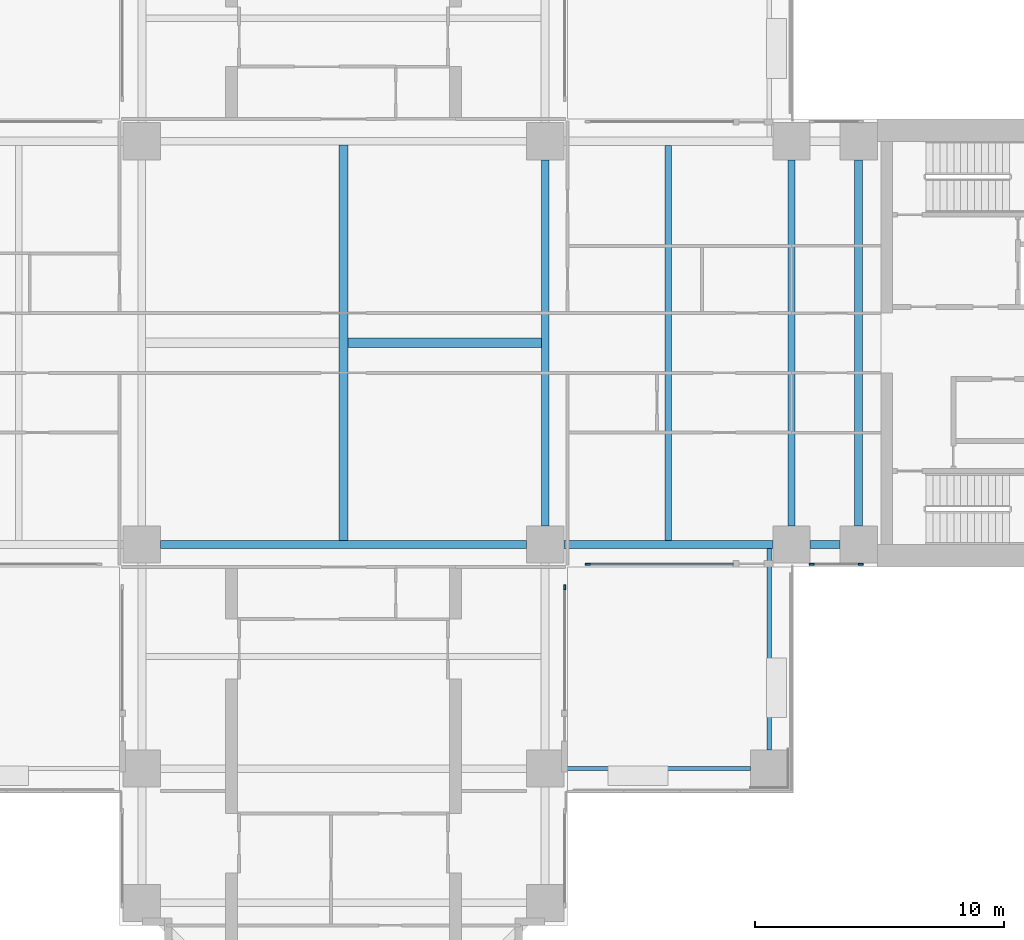
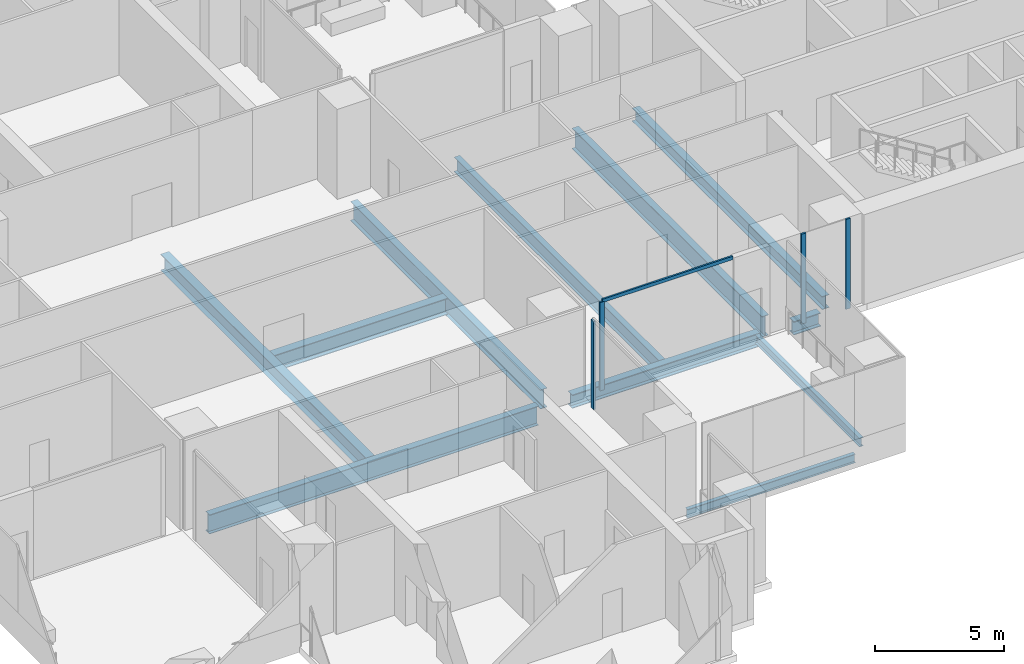
# One storey, part 3 of 15: 11 beams, 5 members, 3 elements without a shape of their own.
"""IFC4 building model written with IfcOpenShell, lengths in metres."""

from ifc_helpers import new_model, si_unit, direction, frame, origin, origin_2d, place, context, subcontext, project, spatial, rectangle, i_section, extrude, material, material_profile, profile_set, type_object, element, aggregate, save


model = new_model("IFC4")

# Units and contexts
model_context = context("Model", 3, precision=1e-05, world=origin(), true_north=direction((0.0, 1.0)))
body_context = subcontext(model_context, "Body", "Model", "MODEL_VIEW")
ifc_project = project(units=[si_unit("LENGTHUNIT", "METRE"), si_unit("AREAUNIT", "SQUARE_METRE"), si_unit("VOLUMEUNIT", "CUBIC_METRE"), si_unit("PLANEANGLEUNIT", "RADIAN"), si_unit("MASSUNIT", "GRAM", prefix="KILO")], contexts=[model_context])

# Site, building, storey
site_placement = place(None, origin())
site = spatial("IfcSite", under=ifc_project, at=site_placement, CompositionType="ELEMENT")
building_placement = place(site_placement, origin())
building = spatial("IfcBuilding", under=site, at=building_placement, Name="Perihelion Cross Residences", CompositionType="ELEMENT")
storey_placement = place(building_placement, frame((0.0, 0.0, 32.0)))
storey = spatial("IfcBuildingStorey", under=building, at=storey_placement, Name="L04", CompositionType="ELEMENT", Elevation=32.0)

# Curtain wall, member
ifc_material_1 = material(Name="Bronze anodised aluminium, tinted glazing", Category="aluminium")
curtain_wall_type = type_object("IfcCurtainWallType", Name="CW2", PredefinedType="NOTDEFINED", material=ifc_material_1)
curtain_wall_1_placement = place(storey_placement, origin())
curtain_wall_1 = element("IfcCurtainWall", 1, at=curtain_wall_1_placement, inside=storey, type_object=curtain_wall_type, Name="Curtain wall CW2 L04 south side east bay 2", PredefinedType="NOTDEFINED")
ifc_material_2 = material(Name="Bronze anodised aluminium", Category="aluminium")
ifc_material_profile_1 = material_profile(ifc_material_2, rectangle(XDim=0.080078125, YDim=0.199951171875, at=origin_2d()), Name="CW2 mullion")
ifc_profile_set_1 = profile_set([ifc_material_profile_1], Name="Bronze anodised aluminium")
member_type_1 = type_object("IfcMemberType", Name="CW2 mullion", PredefinedType="MULLION", material=ifc_profile_set_1)
member_1_placement = place(storey_placement, frame((8.889892578125, -9.81005859375, 0.0), z_axis=(0.0, 0.0, 1.0), x_axis=(-1.0, 0.0, 0.0)))
member_1 = element("IfcMember", 2, at=member_1_placement, type_object=member_type_1, Name="CW2 mullion 2", PredefinedType="MULLION", context=body_context, shape_type="SweptSolid", body=[
    extrude(rectangle(XDim=0.080078125, YDim=0.199951171875, at=origin_2d()), origin(), (0.0, 0.0, 1.0), 4.169921875),
])
aggregate(curtain_wall_1, [member_1])

curtain_wall_2_placement = place(storey_placement, origin())
curtain_wall_2 = element("IfcCurtainWall", 3, at=curtain_wall_2_placement, inside=storey, type_object=curtain_wall_type, Name="Curtain wall CW2 L04 east side south bay 1", PredefinedType="NOTDEFINED")
member_2_placement = place(storey_placement, frame((9.81005859375, -8.889892578125, 0.0), z_axis=(0.0, 0.0, 1.0), x_axis=(0.0, 1.0, 0.0)))
member_2 = element("IfcMember", 4, at=member_2_placement, type_object=member_type_1, Name="CW2 mullion 1", PredefinedType="MULLION", context=body_context, shape_type="SweptSolid", body=[
    extrude(rectangle(XDim=0.080078125, YDim=0.199951171875, at=origin_2d()), origin(), (0.0, 0.0, 1.0), 4.169921875),
])

# Curtain wall, members
curtain_wall_3_placement = place(storey_placement, origin())
curtain_wall_3 = element("IfcCurtainWall", 5, at=curtain_wall_3_placement, inside=storey, type_object=curtain_wall_type, Name="Curtain wall CW2 L04 east side south bay 2", PredefinedType="NOTDEFINED")
member_3_placement = place(storey_placement, frame((18.81005859375, -8.889892578125, 0.0), z_axis=(0.0, 0.0, 1.0), x_axis=(0.0, 1.0, 0.0)))
member_3 = element("IfcMember", 6, at=member_3_placement, type_object=member_type_1, Name="CW2 mullion 1", PredefinedType="MULLION", context=body_context, shape_type="SweptSolid", body=[
    extrude(rectangle(XDim=0.080078125, YDim=0.199951171875, at=origin_2d()), origin(), (0.0, 0.0, 1.0), 4.25),
])
member_4_placement = place(storey_placement, frame((20.7900390625, -8.889892578125, 0.0), z_axis=(0.0, 0.0, 1.0), x_axis=(0.0, 1.0, 0.0)))
member_4 = element("IfcMember", 7, at=member_4_placement, type_object=member_type_1, Name="CW2 mullion 2", PredefinedType="MULLION", context=body_context, shape_type="SweptSolid", body=[
    extrude(rectangle(XDim=0.080078125, YDim=0.199951171875, at=origin_2d()), origin(), (0.0, 0.0, 1.0), 4.25),
])
aggregate(curtain_wall_3, [member_3, member_4])

# Member
ifc_material_3 = material(Name="Bronze anodised aluminium", Category="aluminium")
ifc_material_profile_2 = material_profile(ifc_material_3, rectangle(XDim=0.080078125, YDim=0.159912109375, at=origin_2d()), Name="CW2 transom")
ifc_profile_set_2 = profile_set([ifc_material_profile_2], Name="Bronze anodised aluminium")
member_type_2 = type_object("IfcMemberType", Name="CW2 transom", PredefinedType="USERDEFINED", material=ifc_profile_set_2)
member_5_placement = place(storey_placement, frame((9.81005859375, -8.889892578125, 4.2099609375), z_axis=(1.0, 0.0, 0.0), x_axis=(0.0, 1.0, 0.0)))
member_5 = element("IfcMember", 8, at=member_5_placement, type_object=member_type_2, Name="CW2 head transom", ObjectType="TRANSOM", PredefinedType="USERDEFINED", context=body_context, shape_type="SweptSolid", body=[
    extrude(rectangle(XDim=0.080078125, YDim=0.159912109375, at=origin_2d()), origin(), (0.0, 0.0, 1.0), 5.83984375),
])

aggregate(curtain_wall_2, [member_2, member_5])

# Beams
ifc_material_4 = material(Name="Steel S355", Category="steel")
ifc_material_profile_3 = material_profile(ifc_material_4, i_section(OverallWidth=0.177978515625, OverallDepth=0.406005859375, WebThickness=0.0078125, FlangeThickness=0.0126953125, at=origin_2d()), Name="W410x60")
ifc_profile_set_3 = profile_set([ifc_material_profile_3], Name="Steel S355")
beam_type_1 = type_object("IfcBeamType", Name="Core edge beam W410x60", PredefinedType="BEAM", material=ifc_profile_set_3)
beam_1_placement = place(storey_placement, frame((17.10009765625, -8.264892578125, -0.5029296875), z_axis=(0.0, -1.0, 0.0), x_axis=(1.0, 0.0, 0.0)))
element("IfcBeam", 9, at=beam_1_placement, inside=storey, type_object=beam_type_1, Name="Core edge beam TB2 L04 corner no. 5", PredefinedType="BEAM", context=body_context, shape_type="SweptSolid", body=[
    extrude(i_section(OverallWidth=0.177978515625, OverallDepth=0.406005859375, WebThickness=0.0078125, FlangeThickness=0.0126953125, at=origin_2d()), origin(), (0.0, 0.0, 1.0), 8.085205078125),
])
beam_2_placement = place(storey_placement, frame((8.85009765625, -17.10009765625, -0.5029296875), z_axis=(1.0, 0.0, 0.0), x_axis=(0.0, 1.0, 0.0)))
element("IfcBeam", 10, at=beam_2_placement, inside=storey, type_object=beam_type_1, Name="Core edge beam TB2 L04 corner no. 6", PredefinedType="BEAM", context=body_context, shape_type="SweptSolid", body=[
    extrude(i_section(OverallWidth=0.177978515625, OverallDepth=0.406005859375, WebThickness=0.0078125, FlangeThickness=0.0126953125, at=origin_2d()), origin(), (0.0, 0.0, 1.0), 7.5),
])
ifc_material_5 = material(Name="Steel S355", Category="steel")
ifc_material_profile_4 = material_profile(ifc_material_5, i_section(OverallWidth=0.324951171875, OverallDepth=0.616943359375, WebThickness=0.013916015625, FlangeThickness=0.021484375, at=origin_2d()), Name="W610x174")
ifc_profile_set_4 = profile_set([ifc_material_profile_4], Name="Steel S355")
beam_type_2 = type_object("IfcBeamType", Name="Core edge beam W610x174", PredefinedType="BEAM", material=ifc_profile_set_4)
beam_3_placement = place(storey_placement, frame((20.699951171875, -7.35009765625, -0.6083984375), z_axis=(0.0, 1.0, 0.0), x_axis=(-1.0, 0.0, 0.0)))
element("IfcBeam", 11, at=beam_3_placement, inside=storey, type_object=beam_type_2, Name="Core edge beam TB1 L04 no. 2", PredefinedType="BEAM", context=body_context, shape_type="SweptSolid", body=[
    extrude(i_section(OverallWidth=0.324951171875, OverallDepth=0.616943359375, WebThickness=0.013916015625, FlangeThickness=0.021484375, at=origin_2d()), origin(), (0.0, 0.0, 1.0), 14.7001953125),
])
ifc_material_6 = material(Name="Steel S355", Category="steel")
ifc_material_profile_5 = material_profile(ifc_material_6, i_section(OverallWidth=0.330078125, OverallDepth=0.635009765625, WebThickness=0.017822265625, FlangeThickness=0.031005859375, at=origin_2d()), Name="W610x241")
ifc_profile_set_5 = profile_set([ifc_material_profile_5], Name="Steel S355")
beam_type_3 = type_object("IfcBeamType", Name="Edge beam W610x241", PredefinedType="SPANDREL", material=ifc_profile_set_5)
beam_4_placement = place(storey_placement, frame((8.85009765625, -8.10009765625, -0.617431640625), z_axis=(1.0, 0.0, 0.0), x_axis=(0.0, 1.0, 0.0)))
element("IfcBeam", 12, at=beam_4_placement, inside=storey, type_object=beam_type_3, Name="Edge beam SB1 L04 no. 18", PredefinedType="SPANDREL", context=body_context, shape_type="SweptSolid", body=[
    extrude(i_section(OverallWidth=0.330078125, OverallDepth=0.635009765625, WebThickness=0.017822265625, FlangeThickness=0.031005859375, at=origin_2d()), origin(), (0.0, 0.0, 1.0), 8.39990234375),
])
beam_5_placement = place(storey_placement, frame((18.75, -8.10009765625, -0.617431640625), z_axis=(1.0, 0.0, 0.0), x_axis=(0.0, 1.0, 0.0)))
element("IfcBeam", 13, at=beam_5_placement, inside=storey, type_object=beam_type_3, Name="Edge beam SB1 L04 no. 12", PredefinedType="SPANDREL", context=body_context, shape_type="SweptSolid", body=[
    extrude(i_section(OverallWidth=0.330078125, OverallDepth=0.635009765625, WebThickness=0.017822265625, FlangeThickness=0.031005859375, at=origin_2d()), origin(), (0.0, 0.0, 1.0), 1.199951171875),
])
ifc_material_7 = material(Name="Steel S355", Category="steel")
ifc_material_profile_6 = material_profile(ifc_material_7, i_section(OverallWidth=0.300048828125, OverallDepth=0.97998046875, WebThickness=0.0166015625, FlangeThickness=0.026123046875, at=origin_2d()), Name="W1000x249")
ifc_profile_set_6 = profile_set([ifc_material_profile_6], Name="Steel S355")
beam_type_4 = type_object("IfcBeamType", Name="Floor girder W1000x249", PredefinedType="BEAM", material=ifc_profile_set_6)
beam_6_placement = place(storey_placement, frame((18.0, -7.35009765625, -0.7900390625), z_axis=(0.0, 1.0, 0.0), x_axis=(-1.0, 0.0, 0.0)))
element("IfcBeam", 14, at=beam_6_placement, inside=storey, type_object=beam_type_4, Name="Girder G1 L04 no. 2", PredefinedType="BEAM", context=body_context, shape_type="SweptSolid", body=[
    extrude(i_section(OverallWidth=0.300048828125, OverallDepth=0.97998046875, WebThickness=0.0166015625, FlangeThickness=0.026123046875, at=origin_2d()), origin(), (0.0, 0.0, 1.0), 14.7001953125),
])
ifc_material_8 = material(Name="Steel S355", Category="steel")
ifc_material_profile_7 = material_profile(ifc_material_8, i_section(OverallWidth=0.257080078125, OverallDepth=0.693115234375, WebThickness=0.014404296875, FlangeThickness=0.023681640625, at=origin_2d()), Name="W690x170")
ifc_profile_set_7 = profile_set([ifc_material_profile_7], Name="Steel S355")
beam_type_5 = type_object("IfcBeamType", Name="Floor joist W690x170", PredefinedType="JOIST", material=ifc_profile_set_7)
beam_7_placement = place(storey_placement, frame((13.050048828125, -7.93505859375, -0.646484375), z_axis=(0.0, 1.0, 0.0), x_axis=(-1.0, 0.0, 0.0)))
element("IfcBeam", 15, at=beam_7_placement, inside=storey, type_object=beam_type_5, Name="Joist J1 L04 no. 2", PredefinedType="JOIST", context=body_context, shape_type="SweptSolid", body=[
    extrude(i_section(OverallWidth=0.257080078125, OverallDepth=0.693115234375, WebThickness=0.014404296875, FlangeThickness=0.023681640625, at=origin_2d()), origin(), (0.0, 0.0, 1.0), 15.8701171875),
])
ifc_material_9 = material(Name="Steel S355", Category="steel")
ifc_material_profile_8 = material_profile(ifc_material_9, i_section(OverallWidth=0.381103515625, OverallDepth=0.77197265625, WebThickness=0.0166015625, FlangeThickness=0.027099609375, at=origin_2d()), Name="W760x257")
ifc_profile_set_8 = profile_set([ifc_material_profile_8], Name="Steel S355")
beam_type_6 = type_object("IfcBeamType", Name="Hub cross beam W760x257", PredefinedType="BEAM", material=ifc_profile_set_8)
beam_8_placement = place(storey_placement, frame((0.0, -7.947509765625, -0.68603515625), z_axis=(0.0, 1.0, 0.0), x_axis=(-1.0, 0.0, 0.0)))
element("IfcBeam", 16, at=beam_8_placement, inside=storey, type_object=beam_type_6, Name="Hub cross beam XB1 L04 no. 1", PredefinedType="BEAM", context=body_context, shape_type="SweptSolid", body=[
    extrude(i_section(OverallWidth=0.381103515625, OverallDepth=0.77197265625, WebThickness=0.0166015625, FlangeThickness=0.027099609375, at=origin_2d()), origin(), (0.0, 0.0, 1.0), 15.89501953125),
])
beam_9_placement = place(storey_placement, frame((0.1904296875, 0.0, -0.68603515625), z_axis=(1.0, 0.0, 0.0), x_axis=(0.0, 1.0, 0.0)))
element("IfcBeam", 17, at=beam_9_placement, inside=storey, type_object=beam_type_6, Name="Hub cross beam XB1 L04 2 no. 1", PredefinedType="BEAM", context=body_context, shape_type="SweptSolid", body=[
    extrude(i_section(OverallWidth=0.381103515625, OverallDepth=0.77197265625, WebThickness=0.0166015625, FlangeThickness=0.027099609375, at=origin_2d()), origin(), (0.0, 0.0, 1.0), 7.757080078125),
])
ifc_material_10 = material(Name="Steel S355", Category="steel")
ifc_material_profile_9 = material_profile(ifc_material_10, i_section(OverallWidth=0.304931640625, OverallDepth=0.904052734375, WebThickness=0.01513671875, FlangeThickness=0.02001953125, at=origin_2d()), Name="W920x201")
ifc_profile_set_9 = profile_set([ifc_material_profile_9], Name="Steel S355")
beam_type_7 = type_object("IfcBeamType", Name="Hub ring girder W920x201", PredefinedType="BEAM", material=ifc_profile_set_9)
for number, where, z_axis, x_axis, name in (
    (18, (-7.35009765625, -8.10009765625, -0.751953125), (1.0, 0.0, 0.0), (0.0, 1.0, 0.0), "Hub ring girder RG1 L04 no. 1"),
    (19, (8.10009765625, -7.35009765625, -0.751953125), (0.0, 1.0, 0.0), (-1.0, 0.0, 0.0), "Hub ring girder RG1 L04 no. 3"),
):
    element("IfcBeam", number, at=place(storey_placement, frame(where, z_axis=z_axis, x_axis=x_axis)), inside=storey, type_object=beam_type_7, Name=name, PredefinedType="BEAM", context=body_context, shape_type="SweptSolid", body=[
        extrude(i_section(OverallWidth=0.304931640625, OverallDepth=0.904052734375, WebThickness=0.01513671875, FlangeThickness=0.02001953125, at=origin_2d()), origin(), (0.0, 0.0, 1.0), 14.7001953125),
    ])

save(model, "model.ifc")
